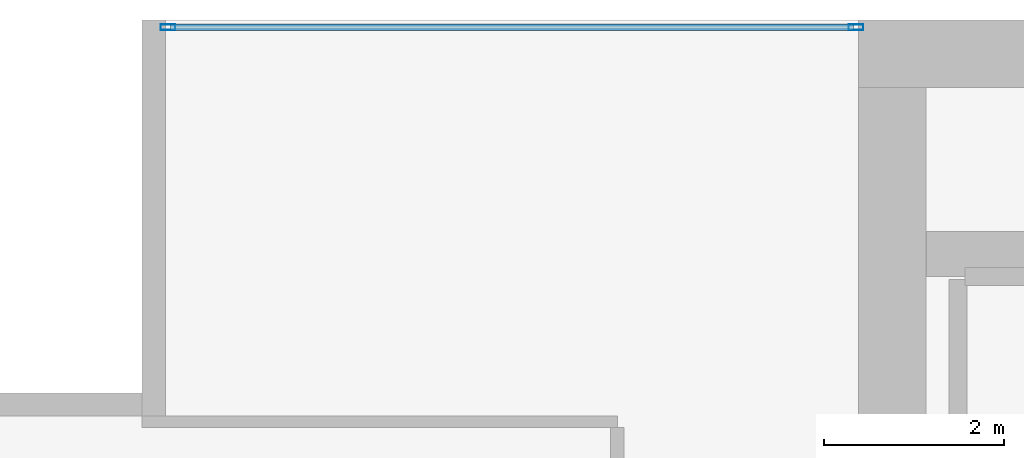
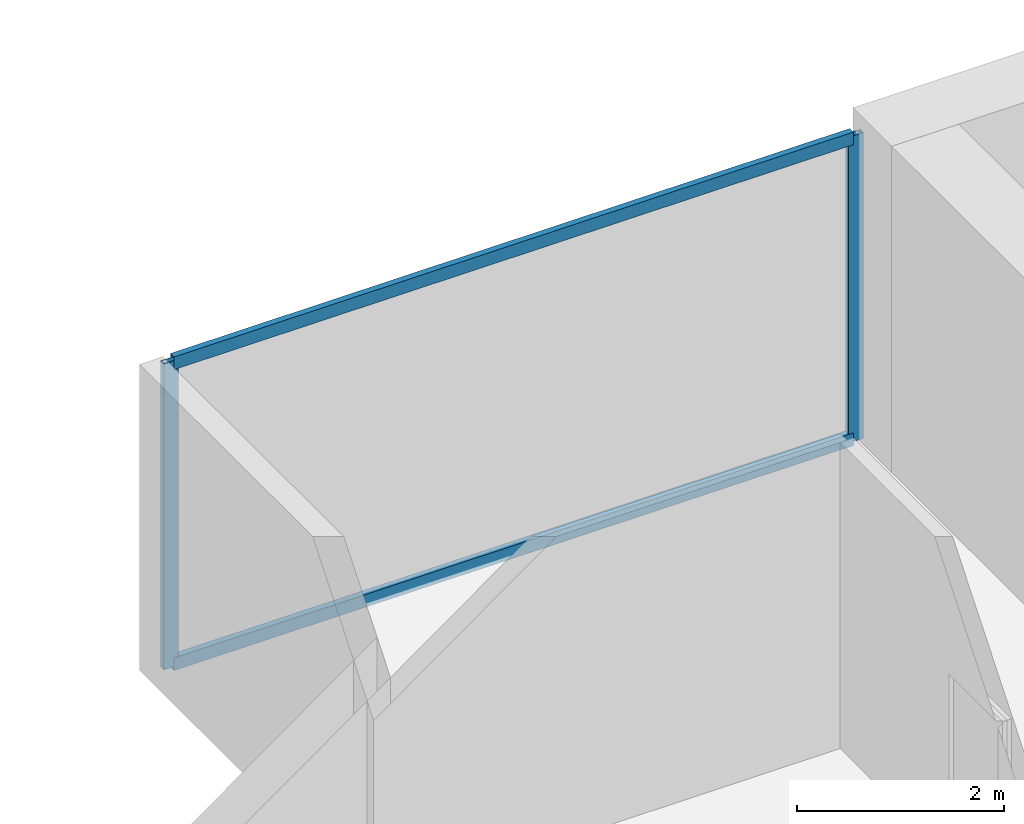
# One storey, part 22 of 34: 4 members, 1 element without a shape of its own.
"""IFC4 building model written with IfcOpenShell, lengths in metres."""

import ifcopenshell
import ifcopenshell.guid

model = None  # the IFC model being written
_history = None  # IfcOwnerHistory: only IFC2X3 demands one
_inside = {}  # id of a spatial element -> (the spatial element, [elements in it])
_under = {}  # id of a project, library or spatial element -> (it, [spatial elements below it])
_declared = {}  # id of a project -> (the project, [libraries it declares])
_typed = {}  # id of a type object -> (the type object, [elements of that type])
_made_of = {}  # id of a material, layer set ... -> (it, [elements and type objects made of it])


def new_model(schema):
    """Start an empty IFC model of exactly this schema.

    Asked for "IFC4X3", IfcOpenShell would pick the latest addendum, in which some entities
    have other attributes; the version numbers below select the first issue.
    IFC2X3 requires an IfcOwnerHistory on every rooted entity: one is made here for all.
    """
    global model, _history
    if schema == "IFC4X3":
        model = ifcopenshell.file(schema_version=(4, 3, 0, 0))
    else:
        model = ifcopenshell.file(schema=schema)
    _inside.clear()
    _under.clear()
    _declared.clear()
    _typed.clear()
    _made_of.clear()
    _history = None
    if model.schema == "IFC2X3":
        org = make("IfcOrganization", Name="unknown")
        user = make(
            "IfcPersonAndOrganization",
            ThePerson=make("IfcPerson", FamilyName="unknown"),
            TheOrganization=org,
        )
        app = make(
            "IfcApplication",
            ApplicationDeveloper=org,
            Version="unknown",
            ApplicationFullName="unknown",
            ApplicationIdentifier="unknown",
        )
        _history = make(
            "IfcOwnerHistory",
            OwningUser=user,
            OwningApplication=app,
            ChangeAction="ADDED",
            CreationDate=0,
        )
    return model


def make(cls, **values):
    """One entity of the class cls with the attributes given. An attribute that is None is left unset."""
    return model.create_entity(
        cls, **{name: value for name, value in values.items() if value is not None}
    )


def rooted(cls, **values):
    """An entity with a GlobalId (a new one), such as an element, a storey or a relation."""
    return make(cls, GlobalId=ifcopenshell.guid.new(), OwnerHistory=_history, **values)


def si_unit(unit_type, name, prefix=None):
    """IfcSIUnit, for example si_unit("LENGTHUNIT", "METRE", prefix="MILLI")."""
    return make("IfcSIUnit", UnitType=unit_type, Prefix=prefix, Name=name)


def assignment(units):
    """IfcUnitAssignment: the units of a project."""
    return None if units is None else make("IfcUnitAssignment", Units=units)


def point(xyz):
    """IfcCartesianPoint."""
    return None if xyz is None else make("IfcCartesianPoint", Coordinates=xyz)


def direction(xyz):
    """IfcDirection."""
    return None if xyz is None else make("IfcDirection", DirectionRatios=xyz)


def frame(location, z_axis=None, x_axis=None):
    """IfcAxis2Placement3D, a coordinate frame: its origin and axes. An axis left out is left unset."""
    return make(
        "IfcAxis2Placement3D",
        Location=point(location),
        Axis=direction(z_axis),
        RefDirection=direction(x_axis),
    )


def frame_2d(location, x_axis=None):
    """IfcAxis2Placement2D, a coordinate frame in the plane: its origin and x axis."""
    return make(
        "IfcAxis2Placement2D", Location=point(location), RefDirection=direction(x_axis)
    )


def origin():
    """The frame at (0, 0, 0) with its axes left unset."""
    return frame((0.0, 0.0, 0.0))


def origin_2d():
    """The frame at (0, 0) in the plane with its x axis left unset."""
    return frame_2d((0.0, 0.0))


def place(relative_to, where):
    """IfcLocalPlacement: puts the frame where relative to a parent placement (None: the world)."""
    return make(
        "IfcLocalPlacement", PlacementRelTo=relative_to, RelativePlacement=where
    )


def context(
    kind, dimensions, precision=None, world=None, true_north=None, identifier=None
):
    """IfcGeometricRepresentationContext, for example the 3D "Model" context."""
    return make(
        "IfcGeometricRepresentationContext",
        ContextIdentifier=identifier,
        ContextType=kind,
        CoordinateSpaceDimension=dimensions,
        Precision=precision,
        WorldCoordinateSystem=world,
        TrueNorth=true_north,
    )


def subcontext(parent, identifier, kind, view, scale=None):
    """IfcGeometricRepresentationSubContext, for example "Body" below "Model"."""
    return make(
        "IfcGeometricRepresentationSubContext",
        ContextIdentifier=identifier,
        ContextType=kind,
        ParentContext=parent,
        TargetScale=scale,
        TargetView=view,
    )


def project(units=None, contexts=None):
    """IfcProject with its units and contexts."""
    return rooted(
        "IfcProject",
        Name="project",
        RepresentationContexts=contexts,
        UnitsInContext=assignment(units),
    )


def spatial(cls, under=None, at=None, **own):
    """A site, building, storey or space (cls), placed at a placement, below another one or the project."""
    s = rooted(cls, ObjectPlacement=at, **own)
    if under is not None:
        _under.setdefault(under.id(), (under, []))[1].append(s)
    return s


def profile(cls, at=None, kind="AREA", **sizes):
    """A parametric profile (cls). Its sizes go by their IFC names, for example OverallWidth=200.0."""
    return make(cls, ProfileType=kind, Position=at, **sizes)


def hollow_rectangle(**sizes):
    """IfcRectangleHollowProfileDef."""
    return profile("IfcRectangleHollowProfileDef", **sizes)


def extrude(swept, where, along, depth):
    """IfcExtrudedAreaSolid: the profile swept, set in the frame where, extruded along a direction by depth."""
    return make(
        "IfcExtrudedAreaSolid",
        SweptArea=swept,
        Position=where,
        ExtrudedDirection=direction(along),
        Depth=depth,
    )


def shape(context_of_items, identifier, shape_type, items):
    """IfcShapeRepresentation: the items that make up one representation, for example the "Body"."""
    return make(
        "IfcShapeRepresentation",
        ContextOfItems=context_of_items,
        RepresentationIdentifier=identifier,
        RepresentationType=shape_type,
        Items=items,
    )


def material(Name=None, Category=None):
    """IfcMaterial."""
    return make("IfcMaterial", Name=Name, Category=Category)


def layer(
    of_material, thickness, ventilated=None, Name=None, Category=None, Priority=None
):
    """IfcMaterialLayer: one layer of a wall or slab, of a material (None: an air gap)."""
    return make(
        "IfcMaterialLayer",
        Material=of_material,
        LayerThickness=thickness,
        IsVentilated=ventilated,
        Name=Name,
        Category=Category,
        Priority=Priority,
    )


def layer_set(layers, Name=None):
    """IfcMaterialLayerSet."""
    return make("IfcMaterialLayerSet", MaterialLayers=layers, LayerSetName=Name)


def material_profile(
    of_material, cross_section, Name=None, Category=None, Priority=None
):
    """IfcMaterialProfile: a cross section and its material."""
    return make(
        "IfcMaterialProfile",
        Name=Name,
        Material=of_material,
        Profile=cross_section,
        Priority=Priority,
        Category=Category,
    )


def profile_set(profiles, Name=None, composite=None):
    """IfcMaterialProfileSet."""
    return make(
        "IfcMaterialProfileSet",
        Name=Name,
        MaterialProfiles=profiles,
        CompositeProfile=composite,
    )


def made_of(thing, what):
    """Note that an element or type object is made of a material, layer set ...; save() writes the relation."""
    if what is not None:
        _made_of.setdefault(what.id(), (what, []))[1].append(thing)
    return thing


def type_object(cls, material=None, **own):
    """A type object (cls), such as IfcWallType, which elements share."""
    return made_of(rooted(cls, **own), material)


def element(
    cls,
    number,
    at=None,
    inside=None,
    cuts=None,
    type_object=None,
    material=None,
    context=None,
    identifier="Body",
    shape_type=None,
    held_by="IfcProductDefinitionShape",
    body=None,
    shapes=None,
    **own,
):
    """One element of the class cls, such as IfcWall. Its Tag is "e" and its number.

    at: its placement. inside: the storey or other place that contains it. cuts: it is an
    opening in that element (IfcRelVoidsElement). A single representation is given by context,
    identifier, shape_type and body (its items); several are given by shapes. held_by: the class
    of the entity that holds the representations. save() writes the other relations.
    """
    e = rooted(cls, Tag="e%d" % number, ObjectPlacement=at, **own)
    if body is not None:
        shapes = [shape(context, identifier, shape_type, body)]
    if shapes is not None:
        e.Representation = make(held_by, Representations=shapes)
    if inside is not None:
        _inside.setdefault(inside.id(), (inside, []))[1].append(e)
    if cuts is not None:
        rooted(
            "IfcRelVoidsElement", RelatingBuildingElement=cuts, RelatedOpeningElement=e
        )
    if type_object is not None:
        _typed.setdefault(type_object.id(), (type_object, []))[1].append(e)
    return made_of(e, material)


def aggregate(whole, parts):
    """IfcRelAggregates: a whole, such as a stair, and the parts it consists of."""
    return rooted("IfcRelAggregates", RelatingObject=whole, RelatedObjects=parts)


def save(model, path):
    """Write the relations noted so far, then the file.

    IfcRelAggregates (storeys below a building ...), IfcRelContainedInSpatialStructure (elements
    in a storey), IfcRelDefinesByType, IfcRelAssociatesMaterial and IfcRelDeclares: one each for
    every whole, place, type object, material and project.
    """
    for whole, parts in _under.values():
        aggregate(whole, parts)
    for where, things in _inside.values():
        rooted(
            "IfcRelContainedInSpatialStructure",
            RelatedElements=things,
            RelatingStructure=where,
        )
    for kind, things in _typed.values():
        rooted("IfcRelDefinesByType", RelatedObjects=things, RelatingType=kind)
    for what, things in _made_of.values():
        rooted("IfcRelAssociatesMaterial", RelatedObjects=things, RelatingMaterial=what)
    for by, libraries in _declared.values():
        rooted("IfcRelDeclares", RelatingContext=by, RelatedDefinitions=libraries)
    model.write(path)


model = new_model("IFC4")

# Units and contexts
model_context = context("Model", 3, precision=1e-05, world=origin(), true_north=direction((0.0, 1.0)))
body_context = subcontext(model_context, "Body", "Model", "MODEL_VIEW")
ifc_project = project(units=[si_unit("LENGTHUNIT", "METRE"), si_unit("AREAUNIT", "SQUARE_METRE"), si_unit("VOLUMEUNIT", "CUBIC_METRE"), si_unit("PLANEANGLEUNIT", "RADIAN"), si_unit("MASSUNIT", "GRAM", prefix="KILO")], contexts=[model_context])

# Site, building, storey
site_placement = place(None, origin())
site = spatial("IfcSite", under=ifc_project, at=site_placement, CompositionType="ELEMENT")
building_placement = place(site_placement, origin())
building = spatial("IfcBuilding", under=site, at=building_placement, Name="Maruvema Waterfront Hotel and Observation Tower", CompositionType="ELEMENT")
storey_placement = place(building_placement, frame((0.0, 0.0, 192.85009765625)))
storey = spatial("IfcBuildingStorey", under=building, at=storey_placement, Name="L47", CompositionType="ELEMENT", Elevation=192.85009765625)

# Curtain wall, members
ifc_material_1 = material(Name="Anodised bronze aluminium and solar-control low-E IGU", Category="aluminium")
ifc_layer = layer(ifc_material_1, 0.159912109375, Name="Zone 2 Amber Inner Thermal Curtain Wall System CW-03")
ifc_layer_set = layer_set([ifc_layer], Name="Anodised bronze aluminium and solar-control low-E IGU")
curtain_wall_type = type_object("IfcCurtainWallType", Name="Zone 2 Amber Inner Thermal Curtain Wall System CW-03", PredefinedType="USERDEFINED", material=ifc_layer_set)
curtain_wall_placement = place(storey_placement, origin())
curtain_wall = element("IfcCurtainWall", 1, at=curtain_wall_placement, inside=storey, type_object=curtain_wall_type, Name="L47 Curtain Wall CW-L47-NW", ObjectType="UNITISED CURTAIN WALL", PredefinedType="USERDEFINED")
ifc_material_2 = material(Name="Anodised architectural bronze aluminium", Category="aluminium")
ifc_material_profile_1 = material_profile(ifc_material_2, hollow_rectangle(XDim=0.070068359375, YDim=0.14990234375, WallThickness=0.00390625, at=origin_2d()), Name="ALU-T70x150")
ifc_profile_set_1 = profile_set([ifc_material_profile_1], Name="Anodised architectural bronze aluminium")
member_type_1 = type_object("IfcMemberType", Name="Curtain Wall Horizontal Transom ALU-T70x150", PredefinedType="USERDEFINED", material=ifc_profile_set_1)
member_1_placement = place(storey_placement, frame((25.139892578125, 53.919921875, 0.02978515625), z_axis=(-1.0, 0.0, 0.0), x_axis=(0.0, -1.0, 0.0)))
member_1 = element("IfcMember", 2, at=member_1_placement, type_object=member_type_1, Name="CW-03 transom 1.1", ObjectType="TRANSOM", PredefinedType="USERDEFINED", context=body_context, shape_type="SweptSolid", body=[
    extrude(hollow_rectangle(XDim=0.070068359375, YDim=0.14990234375, WallThickness=0.00390625, at=origin_2d()), origin(), (0.0, 0.0, 1.0), 7.579833984375),
])
member_2_placement = place(storey_placement, frame((25.139892578125, 53.919921875, 3.579833984375), z_axis=(-1.0, 0.0, 0.0), x_axis=(0.0, -1.0, 0.0)))
member_2 = element("IfcMember", 3, at=member_2_placement, type_object=member_type_1, Name="CW-03 transom 1.2", ObjectType="TRANSOM", PredefinedType="USERDEFINED", context=body_context, shape_type="SweptSolid", body=[
    extrude(hollow_rectangle(XDim=0.070068359375, YDim=0.14990234375, WallThickness=0.00390625, at=origin_2d()), origin(), (0.0, 0.0, 1.0), 7.579833984375),
])
ifc_material_3 = material(Name="Anodised architectural bronze aluminium", Category="aluminium")
ifc_material_profile_2 = material_profile(ifc_material_3, hollow_rectangle(XDim=0.06494140625, YDim=0.1650390625, WallThickness=0.00390625, at=origin_2d()), Name="ALU-M65x165")
ifc_profile_set_2 = profile_set([ifc_material_profile_2], Name="Anodised architectural bronze aluminium")
member_type_2 = type_object("IfcMemberType", Name="Curtain Wall Primary Mullion ALU-M65x165", PredefinedType="MULLION", material=ifc_profile_set_2)
member_3_placement = place(storey_placement, frame((25.169921875, 53.919921875, 0.0), z_axis=(0.0, 0.0, 1.0), x_axis=(0.0, -1.0, 0.0)))
member_3 = element("IfcMember", 4, at=member_3_placement, type_object=member_type_2, Name="CW-03 mullion 1", PredefinedType="MULLION", context=body_context, shape_type="SweptSolid", body=[
    extrude(hollow_rectangle(XDim=0.06494140625, YDim=0.1650390625, WallThickness=0.00390625, at=origin_2d()), origin(), (0.0, 0.0, 1.0), 3.60986328125),
])
member_4_placement = place(storey_placement, frame((17.530029296875, 53.919921875, 0.0), z_axis=(0.0, 0.0, 1.0), x_axis=(0.0, -1.0, 0.0)))
member_4 = element("IfcMember", 5, at=member_4_placement, type_object=member_type_2, Name="CW-03 mullion 2", PredefinedType="MULLION", context=body_context, shape_type="SweptSolid", body=[
    extrude(hollow_rectangle(XDim=0.06494140625, YDim=0.1650390625, WallThickness=0.00390625, at=origin_2d()), origin(), (0.0, 0.0, 1.0), 3.60986328125),
])
aggregate(curtain_wall, [member_3, member_4, member_1, member_2])

save(model, "model.ifc")
